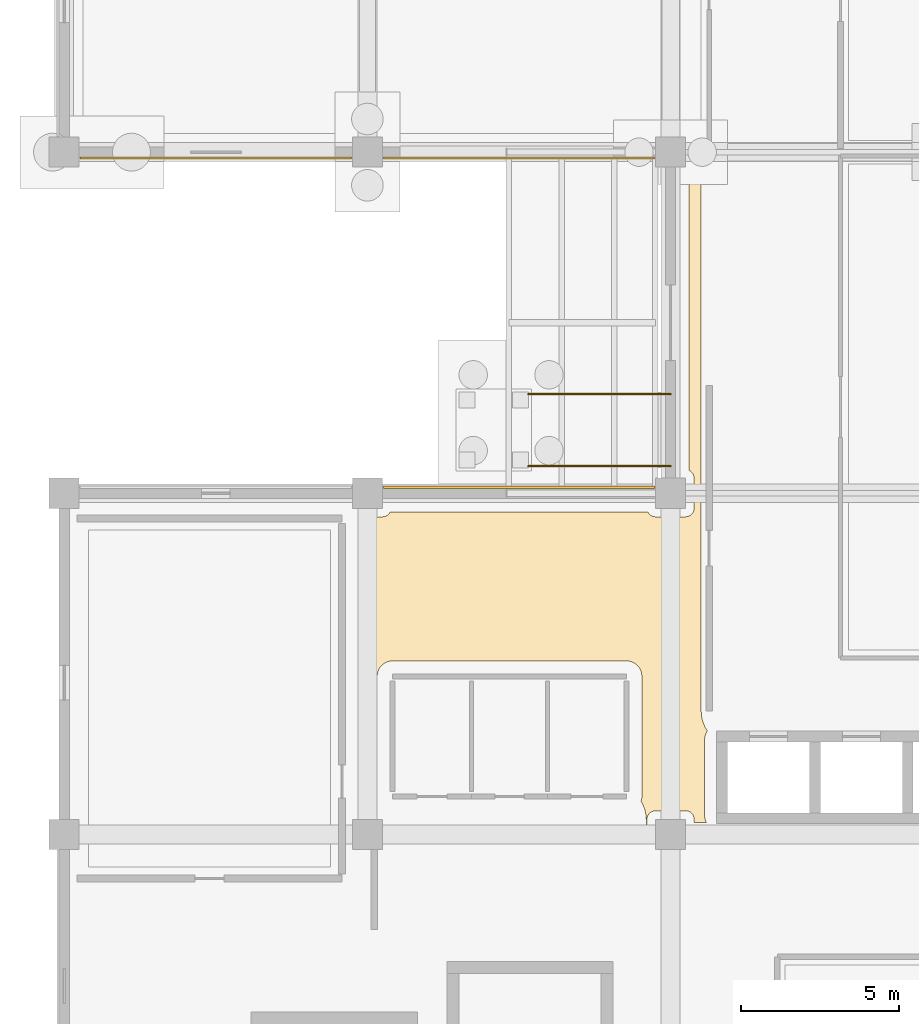
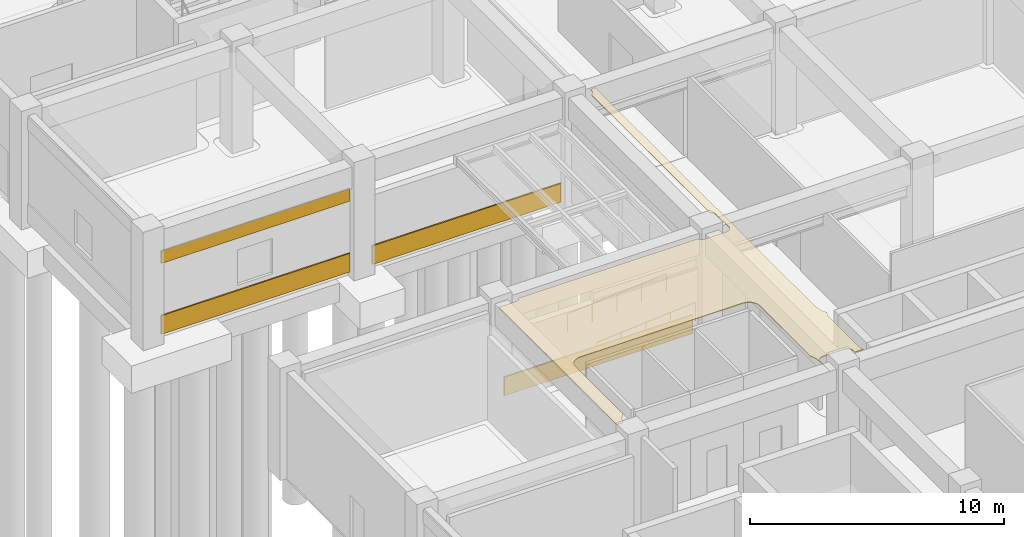
# One storey, part 52 of 74: 5 coverings, 2 railings.
"""IFC4 building model written with IfcOpenShell, lengths in metres."""

from ifc_helpers import new_model, si_unit, direction, frame, origin, origin_2d, place, context, subcontext, project, spatial, polyline, rectangle, circle, outline, extrude, material, layer, layer_set, type_object, element, save


model = new_model("IFC4")

# Units and contexts
model_context = context("Model", 3, precision=1e-05, world=origin(), true_north=direction((0.0, 1.0)))
body_context = subcontext(model_context, "Body", "Model", "MODEL_VIEW")
ifc_project = project(units=[si_unit("LENGTHUNIT", "METRE"), si_unit("AREAUNIT", "SQUARE_METRE"), si_unit("VOLUMEUNIT", "CUBIC_METRE"), si_unit("PLANEANGLEUNIT", "RADIAN"), si_unit("MASSUNIT", "GRAM", prefix="KILO")], contexts=[model_context])

# Site, building, storey
site_placement = place(None, origin())
site = spatial("IfcSite", under=ifc_project, at=site_placement, CompositionType="ELEMENT")
building_placement = place(site_placement, origin())
building = spatial("IfcBuilding", under=site, at=building_placement, Name="Cendralis Terraced Arcade", CompositionType="ELEMENT")
storey_placement = place(building_placement, origin())
storey = spatial("IfcBuildingStorey", under=building, at=storey_placement, Name="L00", CompositionType="ELEMENT", Elevation=0.0)

# Coverings
ifc_material_1 = material(Name="Warm Andean oak timber", Category="wood")
ifc_layer_1 = layer(ifc_material_1, 0.034912109375, Name="COV-CEIL-OAK-35")
ifc_layer_set_1 = layer_set([ifc_layer_1], Name="Warm Andean oak timber")
covering_type_1 = type_object("IfcCoveringType", Name="COV-CEIL-OAK-35", PredefinedType="CEILING", material=ifc_layer_set_1)
covering_1_placement = place(storey_placement, frame((0.0, 0.0, 5.054931640625)))
element("IfcCovering", 1, at=covering_1_placement, inside=storey, type_object=covering_type_1, Name="Acoustic Soffit Ceiling L00-027", PredefinedType="CEILING", context=body_context, shape_type="SweptSolid", body=[
    extrude(outline(polyline([(10.074951171875, 48.455078125), (10.08740234375, 48.455322265625), (10.089111328125, 48.455322265625), (10.113525390625, 48.457763671875), (10.115478515625, 48.4580078125), (10.1396484375, 48.462890625), (10.1416015625, 48.46337890625), (10.1650390625, 48.470458984375), (10.1669921875, 48.47119140625), (10.189453125, 48.48046875), (10.19140625, 48.4814453125), (10.212890625, 48.492919921875), (10.214599609375, 48.493896484375), (10.235107421875, 48.507568359375), (10.236572265625, 48.5087890625), (10.255615234375, 48.5244140625), (10.257080078125, 48.525634765625), (10.2744140625, 48.54296875), (10.275634765625, 48.54443359375), (10.291259765625, 48.5634765625), (10.29248046875, 48.56494140625), (10.30615234375, 48.58544921875), (10.30712890625, 48.5869140625), (10.318603515625, 48.608642578125), (10.3193359375, 48.610107421875), (18.480712890625, 48.610107421875), (18.4814453125, 48.608642578125), (18.492919921875, 48.5869140625), (18.493896484375, 48.58544921875), (18.507568359375, 48.56494140625), (18.5087890625, 48.5634765625), (18.5244140625, 48.54443359375), (18.525634765625, 48.54296875), (18.54296875, 48.525634765625), (18.54443359375, 48.5244140625), (18.5634765625, 48.5087890625), (18.56494140625, 48.507568359375), (18.58544921875, 48.493896484375), (18.5869140625, 48.492919921875), (18.608642578125, 48.4814453125), (18.610595703125, 48.48046875), (18.633056640625, 48.47119140625), (18.635009765625, 48.470458984375), (18.658447265625, 48.46337890625), (18.660400390625, 48.462890625), (18.684326171875, 48.4580078125), (18.686279296875, 48.457763671875), (18.710693359375, 48.455322265625), (18.712646484375, 48.455322265625), (18.72509765625, 48.455078125), (19.675048828125, 48.455078125), (19.687255859375, 48.455322265625), (19.689208984375, 48.455322265625), (19.713623046875, 48.457763671875), (19.715576171875, 48.4580078125), (19.739501953125, 48.462890625), (19.74169921875, 48.46337890625), (19.764892578125, 48.470458984375), (19.766845703125, 48.47119140625), (19.78955078125, 48.48046875), (19.791259765625, 48.4814453125), (19.81298828125, 48.492919921875), (19.814697265625, 48.493896484375), (19.8349609375, 48.507568359375), (19.836669921875, 48.5087890625), (19.855712890625, 48.5244140625), (19.85693359375, 48.525634765625), (19.87451171875, 48.54296875), (19.875732421875, 48.54443359375), (19.891357421875, 48.5634765625), (19.892333984375, 48.56494140625), (19.906005859375, 48.58544921875), (19.906982421875, 48.5869140625), (19.918701171875, 48.608642578125), (19.91943359375, 48.610595703125), (19.928955078125, 48.633056640625), (19.929443359375, 48.635009765625), (19.9365234375, 48.658447265625), (19.93701171875, 48.660400390625), (19.94189453125, 48.684326171875), (19.942138671875, 48.686279296875), (19.944580078125, 48.710693359375), (19.944580078125, 48.712646484375), (19.945068359375, 48.72509765625), (19.945068359375, 49.675048828125), (19.944580078125, 49.687255859375), (19.944580078125, 49.689208984375), (19.942138671875, 49.713623046875), (19.94189453125, 49.715576171875), (19.93701171875, 49.739501953125), (19.9365234375, 49.74169921875), (19.929443359375, 49.764892578125), (19.928955078125, 49.766845703125), (19.91943359375, 49.78955078125), (19.918701171875, 49.791259765625), (19.906982421875, 49.81298828125), (19.906005859375, 49.814697265625), (19.892333984375, 49.8349609375), (19.891357421875, 49.836669921875), (19.875732421875, 49.855712890625), (19.87451171875, 49.85693359375), (19.85693359375, 49.87451171875), (19.855712890625, 49.875732421875), (19.836669921875, 49.891357421875), (19.8349609375, 49.892333984375), (19.814697265625, 49.906005859375), (19.81298828125, 49.906982421875), (19.791259765625, 49.918701171875), (19.7900390625, 49.919189453125), (19.7900390625, 59.28076171875), (19.791259765625, 59.281494140625), (19.81298828125, 59.29296875), (19.814697265625, 59.2939453125), (19.8349609375, 59.3076171875), (19.836669921875, 59.30859375), (19.855712890625, 59.32421875), (19.85693359375, 59.32568359375), (19.87451171875, 59.343017578125), (19.875732421875, 59.344482421875), (19.891357421875, 59.36328125), (19.892333984375, 59.364990234375), (19.906005859375, 59.385498046875), (19.906982421875, 59.386962890625), (19.918701171875, 59.40869140625), (19.91943359375, 59.410400390625), (19.928955078125, 59.43310546875), (19.929443359375, 59.43505859375), (19.9365234375, 59.45849609375), (19.93701171875, 59.46044921875), (19.94189453125, 59.484375), (19.942138671875, 59.486328125), (19.944580078125, 59.5107421875), (19.944580078125, 59.5126953125), (19.945068359375, 59.52490234375), (19.945068359375, 59.6298828125), (20.169921875, 59.6298828125), (20.169921875, 42.304931640625), (20.169921875, 42.302001953125), (20.170166015625, 42.299072265625), (20.170166015625, 42.2958984375), (20.17041015625, 42.2900390625), (20.17041015625, 42.287109375), (20.17041015625, 42.283935546875), (20.170654296875, 42.281005859375), (20.173583984375, 42.22021484375), (20.174072265625, 42.214111328125), (20.17431640625, 42.208251953125), (20.1748046875, 42.2021484375), (20.176025390625, 42.1904296875), (20.1767578125, 42.184326171875), (20.177490234375, 42.178466796875), (20.17822265625, 42.17236328125), (20.187255859375, 42.112060546875), (20.188232421875, 42.106201171875), (20.189208984375, 42.100341796875), (20.190185546875, 42.09423828125), (20.192626953125, 42.082763671875), (20.19384765625, 42.07666015625), (20.1953125, 42.071044921875), (20.196533203125, 42.06494140625), (20.21142578125, 42.006103515625), (20.212890625, 42.0), (20.214599609375, 41.994384765625), (20.21630859375, 41.988525390625), (20.219482421875, 41.977294921875), (20.221435546875, 41.97119140625), (20.223388671875, 41.9658203125), (20.225341796875, 41.9599609375), (20.245849609375, 41.902587890625), (20.248046875, 41.89697265625), (20.25, 41.891357421875), (20.25244140625, 41.8857421875), (20.2568359375, 41.874755859375), (20.25927734375, 41.869140625), (20.26171875, 41.86376953125), (20.26416015625, 41.858154296875), (20.290283203125, 41.80322265625), (20.29296875, 41.797607421875), (20.295654296875, 41.79248046875), (20.29833984375, 41.787109375), (20.303955078125, 41.776611328125), (20.306884765625, 41.771240234375), (20.309814453125, 41.76611328125), (20.31298828125, 41.7607421875), (20.34423828125, 41.70849609375), (20.347412109375, 41.703369140625), (20.3505859375, 41.698486328125), (20.35400390625, 41.693359375), (20.360595703125, 41.68359375), (20.362548828125, 41.680419921875), (20.359130859375, 41.67431640625), (20.353515625, 41.663818359375), (20.347900390625, 41.65283203125), (20.3330078125, 41.62109375), (20.327880859375, 41.609619140625), (20.323486328125, 41.598876953125), (20.319091796875, 41.58740234375), (20.30712890625, 41.55419921875), (20.30322265625, 41.54248046875), (20.2998046875, 41.53125), (20.296630859375, 41.519287109375), (20.2880859375, 41.485107421875), (20.285400390625, 41.47314453125), (20.282958984375, 41.461669921875), (20.281005859375, 41.449462890625), (20.275634765625, 41.41455078125), (20.274169921875, 41.40234375), (20.273193359375, 41.390625), (20.272216796875, 41.37841796875), (20.2705078125, 41.34326171875), (20.270263671875, 41.3369140625), (20.27001953125, 41.3310546875), (20.27001953125, 41.324951171875), (20.27001953125, 39.074951171875), (20.27001953125, 39.06884765625), (20.270263671875, 39.06298828125), (20.2705078125, 39.056884765625), (20.272216796875, 39.021484375), (20.273193359375, 39.00927734375), (20.274169921875, 38.99755859375), (20.275634765625, 38.9853515625), (20.281005859375, 38.950439453125), (20.282958984375, 38.9384765625), (20.285400390625, 38.9267578125), (20.2880859375, 38.914794921875), (20.296630859375, 38.880615234375), (20.2998046875, 38.868896484375), (20.30322265625, 38.857421875), (20.30712890625, 38.845703125), (20.319091796875, 38.8125), (20.323486328125, 38.801025390625), (20.327880859375, 38.790283203125), (20.3330078125, 38.779052734375), (20.337158203125, 38.77001953125), (19.945068359375, 38.77001953125), (19.945068359375, 38.875), (19.944580078125, 38.88720703125), (19.944580078125, 38.88916015625), (19.942138671875, 38.91357421875), (19.94189453125, 38.91552734375), (19.93701171875, 38.939697265625), (19.9365234375, 38.941650390625), (19.929443359375, 38.965087890625), (19.928955078125, 38.966796875), (19.91943359375, 38.989501953125), (19.918701171875, 38.9912109375), (19.906982421875, 39.012939453125), (19.906005859375, 39.0146484375), (19.892333984375, 39.034912109375), (19.891357421875, 39.03662109375), (19.875732421875, 39.0556640625), (19.87451171875, 39.056884765625), (19.85693359375, 39.074462890625), (19.855712890625, 39.07568359375), (19.836669921875, 39.09130859375), (19.8349609375, 39.09228515625), (19.814697265625, 39.106201171875), (19.81298828125, 39.107177734375), (19.791259765625, 39.11865234375), (19.78955078125, 39.119384765625), (19.766845703125, 39.12890625), (19.764892578125, 39.12939453125), (19.74169921875, 39.13671875), (19.739501953125, 39.13720703125), (19.715576171875, 39.141845703125), (19.713623046875, 39.14208984375), (19.689208984375, 39.14453125), (19.687255859375, 39.144775390625), (19.675048828125, 39.14501953125), (18.72509765625, 39.14501953125), (18.712646484375, 39.144775390625), (18.710693359375, 39.14453125), (18.686279296875, 39.14208984375), (18.684326171875, 39.141845703125), (18.660400390625, 39.13720703125), (18.658447265625, 39.13671875), (18.635009765625, 39.12939453125), (18.633056640625, 39.12890625), (18.610595703125, 39.119384765625), (18.608642578125, 39.11865234375), (18.5869140625, 39.107177734375), (18.58544921875, 39.106201171875), (18.56494140625, 39.09228515625), (18.5634765625, 39.09130859375), (18.54443359375, 39.07568359375), (18.54296875, 39.074462890625), (18.525634765625, 39.056884765625), (18.5244140625, 39.0556640625), (18.5087890625, 39.03662109375), (18.507568359375, 39.034912109375), (18.493896484375, 39.0146484375), (18.492919921875, 39.012939453125), (18.4814453125, 38.9912109375), (18.48046875, 38.989501953125), (18.47119140625, 38.966796875), (18.470458984375, 38.965087890625), (18.46337890625, 38.941650390625), (18.462890625, 38.939697265625), (18.4580078125, 38.91552734375), (18.457763671875, 38.91357421875), (18.455322265625, 38.88916015625), (18.455322265625, 38.88720703125), (18.455078125, 38.875), (18.455078125, 38.1298828125), (18.429931640625, 38.1298828125), (18.429931640625, 38.860107421875), (18.429931640625, 38.863037109375), (18.429931640625, 38.865966796875), (18.429931640625, 38.869140625), (18.4296875, 38.875), (18.4296875, 38.8779296875), (18.429443359375, 38.881103515625), (18.429443359375, 38.884033203125), (18.426513671875, 38.94482421875), (18.426025390625, 38.950927734375), (18.425537109375, 38.956787109375), (18.425048828125, 38.962890625), (18.423828125, 38.974609375), (18.42333984375, 38.980712890625), (18.422607421875, 38.986572265625), (18.421630859375, 38.99267578125), (18.412841796875, 39.052978515625), (18.411865234375, 39.058837890625), (18.410888671875, 39.064697265625), (18.40966796875, 39.07080078125), (18.407470703125, 39.082275390625), (18.406005859375, 39.08837890625), (18.40478515625, 39.093994140625), (18.4033203125, 39.10009765625), (18.388671875, 39.158935546875), (18.38720703125, 39.1650390625), (18.385498046875, 39.170654296875), (18.3837890625, 39.176513671875), (18.38037109375, 39.187744140625), (18.37841796875, 39.193603515625), (18.376708984375, 39.19921875), (18.374755859375, 39.205078125), (18.354248046875, 39.26220703125), (18.35205078125, 39.26806640625), (18.349853515625, 39.273681640625), (18.34765625, 39.279296875), (18.343017578125, 39.290283203125), (18.3408203125, 39.2958984375), (18.33837890625, 39.30126953125), (18.335693359375, 39.306884765625), (18.309814453125, 39.36181640625), (18.30712890625, 39.3671875), (18.304443359375, 39.37255859375), (18.301513671875, 39.3779296875), (18.2958984375, 39.388427734375), (18.293212890625, 39.393798828125), (18.290283203125, 39.39892578125), (18.287109375, 39.404296875), (18.263916015625, 39.44287109375), (18.26708984375, 39.4521484375), (18.2705078125, 39.46337890625), (18.273681640625, 39.475341796875), (18.276611328125, 39.48681640625), (18.279296875, 39.498779296875), (18.281494140625, 39.51025390625), (18.28369140625, 39.522216796875), (18.285400390625, 39.533935546875), (18.286865234375, 39.546142578125), (18.2880859375, 39.557861328125), (18.2890625, 39.570068359375), (18.28955078125, 39.581787109375), (18.289794921875, 39.587890625), (18.289794921875, 39.593994140625), (18.2900390625, 39.60009765625), (18.2900390625, 43.39990234375), (18.289794921875, 43.406005859375), (18.289794921875, 43.412109375), (18.28955078125, 43.418212890625), (18.2890625, 43.429931640625), (18.2880859375, 43.442138671875), (18.286865234375, 43.453857421875), (18.285400390625, 43.466064453125), (18.28369140625, 43.477783203125), (18.281494140625, 43.48974609375), (18.279296875, 43.501220703125), (18.276611328125, 43.51318359375), (18.273681640625, 43.524658203125), (18.2705078125, 43.53662109375), (18.26708984375, 43.5478515625), (18.26318359375, 43.5595703125), (18.25927734375, 43.570556640625), (18.2548828125, 43.58203125), (18.250244140625, 43.593017578125), (18.245361328125, 43.60400390625), (18.240234375, 43.61474609375), (18.23486328125, 43.625732421875), (18.229248046875, 43.635986328125), (18.22314453125, 43.646728515625), (18.217041015625, 43.656982421875), (18.210693359375, 43.667236328125), (18.2041015625, 43.677001953125), (18.197021484375, 43.68701171875), (18.18994140625, 43.696533203125), (18.182373046875, 43.706298828125), (18.1748046875, 43.71533203125), (18.1669921875, 43.724609375), (18.158935546875, 43.7333984375), (18.150390625, 43.7421875), (18.14208984375, 43.75048828125), (18.13330078125, 43.759033203125), (18.12451171875, 43.766845703125), (18.115234375, 43.77490234375), (18.106201171875, 43.782470703125), (18.096435546875, 43.789794921875), (18.087158203125, 43.797119140625), (18.076904296875, 43.803955078125), (18.0673828125, 43.810546875), (18.056884765625, 43.817138671875), (18.046875, 43.8232421875), (18.0361328125, 43.8291015625), (18.025634765625, 43.834716796875), (18.014892578125, 43.84033203125), (18.004150390625, 43.84521484375), (17.992919921875, 43.850341796875), (17.98193359375, 43.854736328125), (17.970703125, 43.859130859375), (17.95947265625, 43.86328125), (17.94775390625, 43.8671875), (17.9365234375, 43.87060546875), (17.9248046875, 43.873779296875), (17.913330078125, 43.876708984375), (17.9013671875, 43.87939453125), (17.889892578125, 43.881591796875), (17.877685546875, 43.8837890625), (17.8662109375, 43.885498046875), (17.85400390625, 43.886962890625), (17.84228515625, 43.88818359375), (17.829833984375, 43.888916015625), (17.818115234375, 43.8896484375), (17.81201171875, 43.889892578125), (17.80615234375, 43.889892578125), (17.800048828125, 43.889892578125), (10.39990234375, 43.889892578125), (10.393798828125, 43.889892578125), (10.387939453125, 43.889892578125), (10.3818359375, 43.8896484375), (10.3701171875, 43.888916015625), (10.35791015625, 43.88818359375), (10.34619140625, 43.886962890625), (10.333984375, 43.885498046875), (10.322265625, 43.8837890625), (10.310302734375, 43.881591796875), (10.298583984375, 43.87939453125), (10.28662109375, 43.876708984375), (10.275390625, 43.873779296875), (10.263427734375, 43.87060546875), (10.252197265625, 43.8671875), (10.240478515625, 43.86328125), (10.2294921875, 43.859130859375), (10.218017578125, 43.854736328125), (10.20703125, 43.850341796875), (10.19580078125, 43.84521484375), (10.185302734375, 43.84033203125), (10.17431640625, 43.834716796875), (10.163818359375, 43.8291015625), (10.1533203125, 43.8232421875), (10.14306640625, 43.817138671875), (10.1328125, 43.810546875), (10.123046875, 43.803955078125), (10.11279296875, 43.797119140625), (10.103515625, 43.789794921875), (10.09375, 43.782470703125), (10.084716796875, 43.77490234375), (10.075439453125, 43.766845703125), (10.066650390625, 43.759033203125), (10.057861328125, 43.75048828125), (10.049560546875, 43.7421875), (10.041015625, 43.7333984375), (10.033203125, 43.724609375), (10.025146484375, 43.71533203125), (10.017578125, 43.706298828125), (10.010009765625, 43.696533203125), (10.0029296875, 43.68701171875), (9.99609375, 43.677001953125), (9.989501953125, 43.667236328125), (9.98291015625, 43.656982421875), (9.976806640625, 43.646728515625), (9.970703125, 43.635986328125), (9.965087890625, 43.625732421875), (9.959716796875, 43.61474609375), (9.95458984375, 43.60400390625), (9.94970703125, 43.593017578125), (9.9453125, 43.58203125), (9.94091796875, 43.570556640625), (9.936767578125, 43.5595703125), (9.932861328125, 43.5478515625), (9.929443359375, 43.53662109375), (9.92626953125, 43.524658203125), (9.92333984375, 43.51318359375), (9.920654296875, 43.501220703125), (9.91845703125, 43.48974609375), (9.916259765625, 43.477783203125), (9.91455078125, 43.466064453125), (9.9130859375, 43.453857421875), (9.911865234375, 43.442138671875), (9.910888671875, 43.429931640625), (9.910400390625, 43.418212890625), (9.91015625, 43.412109375), (9.91015625, 43.406005859375), (9.909912109375, 43.39990234375), (9.909912109375, 39.6591796875), (9.907958984375, 39.6572265625), (9.90380859375, 39.6533203125), (9.8994140625, 39.64892578125), (9.89111328125, 39.640625), (9.88671875, 39.63623046875), (9.8828125, 39.632080078125), (9.87841796875, 39.62744140625), (9.837646484375, 39.58251953125), (9.83349609375, 39.577880859375), (9.829833984375, 39.5732421875), (9.82568359375, 39.568603515625), (9.818359375, 39.5595703125), (9.814453125, 39.5546875), (9.810791015625, 39.550048828125), (9.80712890625, 39.545166015625), (9.77099609375, 39.496337890625), (9.767333984375, 39.491455078125), (9.763916015625, 39.486572265625), (9.760498046875, 39.4814453125), (9.75390625, 39.4716796875), (9.75048828125, 39.466552734375), (9.747314453125, 39.461669921875), (9.744140625, 39.456298828125), (9.712890625, 39.404296875), (9.709716796875, 39.39892578125), (9.706787109375, 39.393798828125), (9.7041015625, 39.388427734375), (9.698486328125, 39.3779296875), (9.695556640625, 39.37255859375), (9.69287109375, 39.3671875), (9.690185546875, 39.36181640625), (9.664306640625, 39.306884765625), (9.66162109375, 39.30126953125), (9.6591796875, 39.2958984375), (9.656982421875, 39.290283203125), (9.65234375, 39.279296875), (9.650146484375, 39.273681640625), (9.64794921875, 39.26806640625), (9.645751953125, 39.26220703125), (9.625244140625, 39.205078125), (9.623291015625, 39.19921875), (9.62158203125, 39.193603515625), (9.61962890625, 39.187744140625), (9.6162109375, 39.176513671875), (9.614501953125, 39.170654296875), (9.61279296875, 39.1650390625), (9.611328125, 39.158935546875), (9.60791015625, 39.14501953125), (9.330078125, 39.14501953125), (9.330078125, 48.39990234375), (9.329833984375, 48.406005859375), (9.329833984375, 48.412109375), (9.32958984375, 48.418212890625), (9.328857421875, 48.433837890625), (9.327880859375, 48.446044921875), (9.326904296875, 48.455078125), (10.074951171875, 48.455078125)])), origin(), (0.0, 0.0, 1.0), 0.03515625),
])
ifc_material_2 = material(Name="Precast concrete f'c 40 MPa", Category="concrete")
ifc_layer_2 = layer(ifc_material_2, 0.06494140625, Name="COV-CLAD-GRC-65")
ifc_layer_set_2 = layer_set([ifc_layer_2], Name="Precast concrete f'c 40 MPa")
covering_type_2 = type_object("IfcCoveringType", Name="COV-CLAD-GRC-65", PredefinedType="CLADDING", material=ifc_layer_set_2)
for number, where, z_axis, x_axis, name in (
    (2, (14.39990234375, 49.389892578125, 0.0), (0.0, 0.0, 1.0), (1.0, 0.0, 0.0), "Banded Precast Stone Spandrel Cladding L00-019"),
    (3, (14.39990234375, 59.81005859375, 0.0), (0.0, 0.0, 1.0), (-1.0, 0.0, 0.0), "Banded Precast Stone Spandrel Cladding L00-020"),
    (4, (4.800048828125, 59.81005859375, 0.0), (0.0, 0.0, 1.0), (-1.0, 0.0, 0.0), "Banded Precast Stone Spandrel Cladding L00-021"),
):
    element("IfcCovering", number, at=place(storey_placement, frame(where, z_axis=z_axis, x_axis=x_axis)), inside=storey, type_object=covering_type_2, Name=name, PredefinedType="CLADDING", context=body_context, shape_type="SweptSolid", body=[
        extrude(rectangle(XDim=8.593994140625, YDim=0.06494140625, at=origin_2d()), origin(), (0.0, 0.0, 1.0), 0.89990234375),
    ])
covering_2_placement = place(storey_placement, frame((4.800048828125, 59.81005859375, 3.409912109375), z_axis=(0.0, 0.0, 1.0), x_axis=(-1.0, 0.0, 0.0)))
element("IfcCovering", 5, at=covering_2_placement, inside=storey, type_object=covering_type_2, Name="Banded Precast Stone Lintel Cladding L00-022", PredefinedType="CLADDING", context=body_context, shape_type="SweptSolid", body=[
    extrude(rectangle(XDim=8.593994140625, YDim=0.06494140625, at=origin_2d()), origin(), (0.0, 0.0, 1.0), 0.60009765625),
])

# Railings
ifc_material_3 = material(Name="Brushed stainless steel AISI 316", Category="steel")
railing_type = type_object("IfcRailingType", Name="RL-RAMP-HAND-915", PredefinedType="HANDRAIL", material=ifc_material_3)
for number, where, name in (
    (6, (14.699951171875, 50.06005859375, -0.360107421875), "Accessible Pedestrian Ramp Handrail RMP-01-1"),
    (7, (14.699951171875, 52.340087890625, -0.360107421875), "Accessible Pedestrian Ramp Handrail RMP-01-2"),
):
    element("IfcRailing", number, at=place(storey_placement, frame(where)), inside=storey, type_object=railing_type, Name=name, PredefinedType="HANDRAIL", context=body_context, shape_type="SweptSolid", body=[
        extrude(circle(Radius=0.02392578125, at=origin_2d()), frame((0.0, 0.0, 0.89111328125), z_axis=(0.996813386725, 0.0, 0.079768866396), x_axis=(0.0, 1.0, 0.0)), (0.0, 0.0, 1.0), 4.514404296875),
        extrude(circle(Radius=0.02099609375, at=origin_2d()), origin(), (0.0, 0.0, 1.0), 0.866943359375),
        extrude(circle(Radius=0.02099609375, at=origin_2d()), frame((1.125, 0.0, 0.090087890625)), (0.0, 0.0, 1.0), 0.866943359375),
        extrude(circle(Radius=0.02099609375, at=origin_2d()), frame((2.25, 0.0, 0.18017578125)), (0.0, 0.0, 1.0), 0.866943359375),
        extrude(circle(Radius=0.02099609375, at=origin_2d()), frame((3.375, 0.0, 0.27001953125)), (0.0, 0.0, 1.0), 0.866943359375),
        extrude(circle(Radius=0.02099609375, at=origin_2d()), frame((4.5, 0.0, 0.360107421875)), (0.0, 0.0, 1.0), 0.866943359375),
    ])

save(model, "model.ifc")
